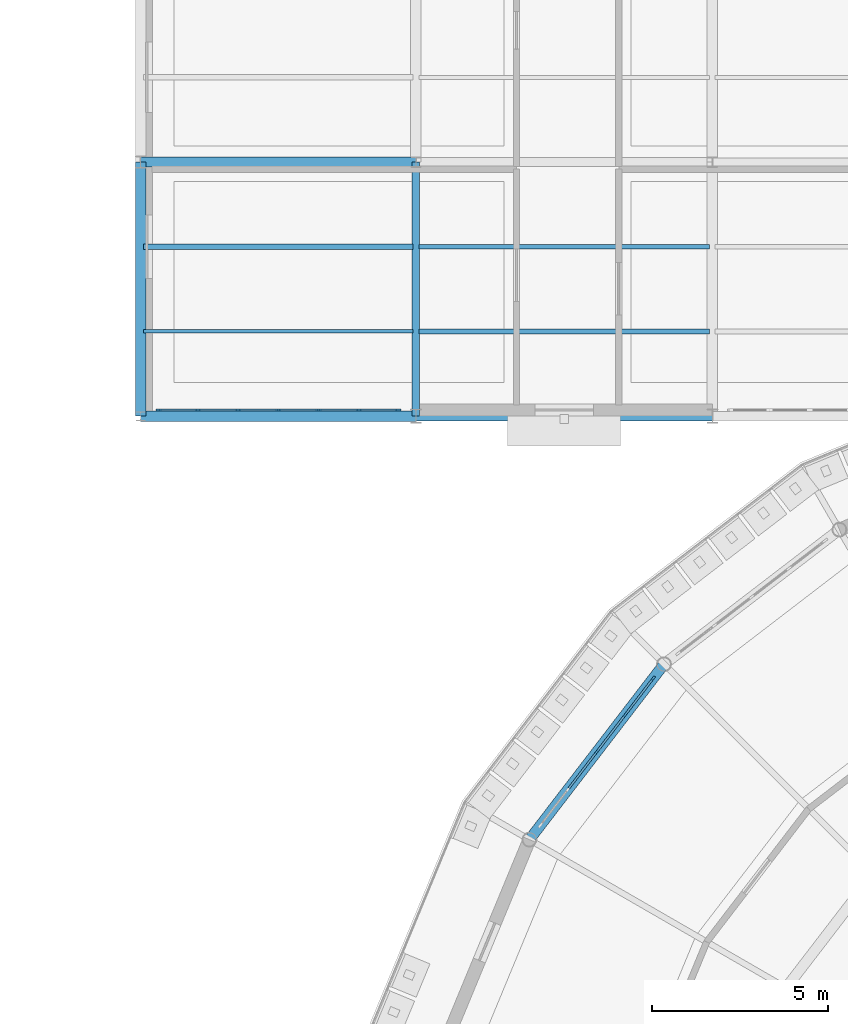
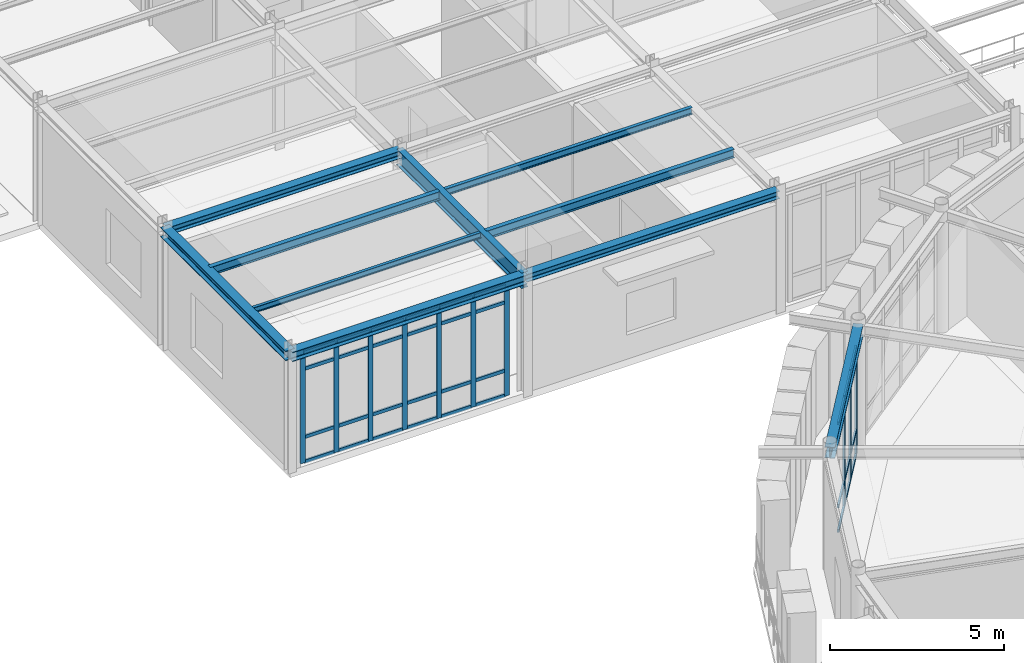
# One storey, part 49 of 106: 46 members, 10 beams, 2 elements without a shape of their own.
"""IFC4 building model written with IfcOpenShell, lengths in metres."""

from ifc_helpers import new_model, si_unit, derived_unit, direction, frame, origin, origin_2d, place, context, subcontext, project, spatial, rectangle, i_section, extrude, material, layer, layer_set, material_profile, profile_set, type_object, element, aggregate, save


model = new_model("IFC4")

# Units and contexts
model_context = context("Model", 3, precision=1e-05, world=origin(), true_north=direction((0.0, 1.0)))
body_context = subcontext(model_context, "Body", "Model", "MODEL_VIEW")
ifc_project = project(units=[si_unit("LENGTHUNIT", "METRE"), si_unit("AREAUNIT", "SQUARE_METRE"), si_unit("VOLUMEUNIT", "CUBIC_METRE"), si_unit("PLANEANGLEUNIT", "RADIAN"), si_unit("MASSUNIT", "GRAM", prefix="KILO"), derived_unit("THERMALTRANSMITTANCEUNIT", [(si_unit("POWERUNIT", "WATT"), 1), (si_unit("AREAUNIT", "SQUARE_METRE"), -1), (si_unit("THERMODYNAMICTEMPERATUREUNIT", "KELVIN"), -1)])], contexts=[model_context])

# Site, building, storey
site_placement = place(None, origin())
site = spatial("IfcSite", under=ifc_project, at=site_placement, CompositionType="ELEMENT")
building_placement = place(site_placement, origin())
building = spatial("IfcBuilding", under=site, at=building_placement, Name="Yasenodar Specialist Clinic", CompositionType="ELEMENT")
storey_placement = place(building_placement, frame((0.0, 0.0, 4.5)))
storey = spatial("IfcBuildingStorey", under=building, at=storey_placement, Name="L01", CompositionType="ELEMENT", Elevation=4.5)

# Beams
ifc_material_1 = material(Name="Steel S355", Category="steel")
ifc_material_profile_1 = material_profile(ifc_material_1, i_section(OverallWidth=0.280029296875, OverallDepth=0.27001953125, WebThickness=0.008056640625, FlangeThickness=0.012939453125, FilletRadius=0.02392578125, at=origin_2d()), Name="HEA 280")
ifc_profile_set_1 = profile_set([ifc_material_profile_1], Name="Steel S355")
beam_type_1 = type_object("IfcBeamType", Name="BM-HEA280", PredefinedType="BEAM", material=ifc_profile_set_1)
beam_1_placement = place(storey_placement, frame((57.0, 82.800048828125, 4.114990234375), z_axis=(1.0, 0.0, 0.0), x_axis=(0.0, 1.0, 0.0)))
element("IfcBeam", 1, at=beam_1_placement, inside=storey, type_object=beam_type_1, Name="L01 Primary E-W Girder", PredefinedType="BEAM", context=body_context, shape_type="SweptSolid", body=[
    extrude(i_section(OverallWidth=0.280029296875, OverallDepth=0.27001953125, WebThickness=0.008056640625, FlangeThickness=0.012939453125, FilletRadius=0.02392578125, at=origin_2d()), origin(), (0.0, 0.0, 1.0), 8.39990234375),
])
beam_2_placement = place(storey_placement, frame((49.199951171875, 90.0, 4.114990234375), z_axis=(1.0, 0.0, 0.0), x_axis=(0.0, 1.0, 0.0)))
element("IfcBeam", 2, at=beam_2_placement, inside=storey, type_object=beam_type_1, Name="L01 Primary E-W Girder", PredefinedType="BEAM", context=body_context, shape_type="SweptSolid", body=[
    extrude(i_section(OverallWidth=0.280029296875, OverallDepth=0.27001953125, WebThickness=0.008056640625, FlangeThickness=0.012939453125, FilletRadius=0.02392578125, at=origin_2d()), origin(), (0.0, 0.0, 1.0), 7.800048828125),
])
ifc_material_profile_2 = material_profile(ifc_material_1, i_section(OverallWidth=0.300048828125, OverallDepth=0.330078125, WebThickness=0.009521484375, FlangeThickness=0.0166015625, FilletRadius=0.027099609375, at=origin_2d()), Name="HEA 340")
ifc_profile_set_2 = profile_set([ifc_material_profile_2], Name="Steel S355")
beam_type_2 = type_object("IfcBeamType", Name="BM-HEA340", PredefinedType="BEAM", material=ifc_profile_set_2)
beam_3_placement = place(storey_placement, frame((49.199951171875, 82.800048828125, 4.0849609375), z_axis=(1.0, 0.0, 0.0), x_axis=(0.0, 1.0, 0.0)))
element("IfcBeam", 3, at=beam_3_placement, inside=storey, type_object=beam_type_2, Name="L01 Primary E-W Girder", PredefinedType="BEAM", context=body_context, shape_type="SweptSolid", body=[
    extrude(i_section(OverallWidth=0.300048828125, OverallDepth=0.330078125, WebThickness=0.009521484375, FlangeThickness=0.0166015625, FilletRadius=0.027099609375, at=origin_2d()), origin(), (0.0, 0.0, 1.0), 7.800048828125),
])
ifc_material_profile_3 = material_profile(ifc_material_1, i_section(OverallWidth=0.300048828125, OverallDepth=0.389892578125, WebThickness=0.010986328125, FlangeThickness=0.01904296875, FilletRadius=0.027099609375, at=origin_2d()), Name="HEA 400")
ifc_profile_set_3 = profile_set([ifc_material_profile_3], Name="Steel S355")
beam_type_3 = type_object("IfcBeamType", Name="BM-HEA400", PredefinedType="BEAM", material=ifc_profile_set_3)
beam_4_placement = place(storey_placement, frame((64.029296875, 75.7705078125, 4.054931640625), z_axis=(-0.608761180103, -0.793353531283, 0.0), x_axis=(0.793353531283, -0.608761180103, 0.0)))
element("IfcBeam", 4, at=beam_4_placement, inside=storey, type_object=beam_type_3, Name="L01 Drum V1 Perimeter Ring Beam", PredefinedType="BEAM", context=body_context, shape_type="SweptSolid", body=[
    extrude(i_section(OverallWidth=0.300048828125, OverallDepth=0.389892578125, WebThickness=0.010986328125, FlangeThickness=0.01904296875, FilletRadius=0.027099609375, at=origin_2d()), origin(), (0.0, 0.0, 1.0), 6.26513671875),
])
ifc_material_profile_4 = material_profile(ifc_material_1, i_section(OverallWidth=0.300048828125, OverallDepth=0.340087890625, WebThickness=0.011962890625, FlangeThickness=0.021484375, FilletRadius=0.027099609375, at=origin_2d()), Name="HEB 340")
ifc_profile_set_4 = profile_set([ifc_material_profile_4], Name="Steel S355")
beam_type_4 = type_object("IfcBeamType", Name="BM-HEB340", PredefinedType="BEAM", material=ifc_profile_set_4)
beam_5_placement = place(storey_placement, frame((49.199951171875, 82.800048828125, 4.080078125), z_axis=(0.0, 1.0, 0.0), x_axis=(-1.0, 0.0, 0.0)))
element("IfcBeam", 5, at=beam_5_placement, inside=storey, type_object=beam_type_4, Name="L01 Primary N-S Girder", PredefinedType="BEAM", context=body_context, shape_type="SweptSolid", body=[
    extrude(i_section(OverallWidth=0.300048828125, OverallDepth=0.340087890625, WebThickness=0.011962890625, FlangeThickness=0.021484375, FilletRadius=0.027099609375, at=origin_2d()), origin(), (0.0, 0.0, 1.0), 7.199951171875),
])
ifc_material_profile_5 = material_profile(ifc_material_1, i_section(OverallWidth=0.2099609375, OverallDepth=0.550048828125, WebThickness=0.010986328125, FlangeThickness=0.01708984375, FilletRadius=0.02392578125, at=origin_2d()), Name="IPE 550")
ifc_profile_set_5 = profile_set([ifc_material_profile_5], Name="Steel S355")
beam_type_5 = type_object("IfcBeamType", Name="BM-IPE550", PredefinedType="BEAM", material=ifc_profile_set_5)
beam_6_placement = place(storey_placement, frame((57.0, 82.800048828125, 3.97509765625), z_axis=(0.0, 1.0, 0.0), x_axis=(-1.0, 0.0, 0.0)))
element("IfcBeam", 6, at=beam_6_placement, inside=storey, type_object=beam_type_5, Name="L01 Primary N-S Girder", PredefinedType="BEAM", context=body_context, shape_type="SweptSolid", body=[
    extrude(i_section(OverallWidth=0.2099609375, OverallDepth=0.550048828125, WebThickness=0.010986328125, FlangeThickness=0.01708984375, FilletRadius=0.02392578125, at=origin_2d()), origin(), (0.0, 0.0, 1.0), 7.199951171875),
])

# Curtain wall, members
ifc_material_2 = material(Name="Bronze Anodized Aluminium and Triple Low-E Glass", Category="aluminium")
ifc_layer_1 = layer(ifc_material_2, 0.1669921875)
ifc_layer_set_1 = layer_set([ifc_layer_1], Name="Bronze Anodized Aluminium and Triple Low-E Glass")
curtain_wall_type_1 = type_object("IfcCurtainWallType", Name="CW-SYS-01", PredefinedType="USERDEFINED", material=ifc_layer_set_1)
curtain_wall_1_placement = place(storey_placement, origin())
curtain_wall_1 = element("IfcCurtainWall", 7, at=curtain_wall_1_placement, inside=storey, type_object=curtain_wall_type_1, Name="L01 Unitised Curtain Wall 018", ObjectType="UNITISED CURTAIN WALL", PredefinedType="USERDEFINED")
ifc_material_3 = material(Name="Bronze Anodized Aluminium", Category="aluminium")
ifc_material_profile_6 = material_profile(ifc_material_3, rectangle(XDim=0.06005859375, YDim=0.159912109375, at=origin_2d()), Name="CW-MULL 60x160")
ifc_profile_set_6 = profile_set([ifc_material_profile_6], Name="Bronze Anodized Aluminium")
member_type_1 = type_object("IfcMemberType", Name="CW-MULL-160", PredefinedType="MULLION", material=ifc_profile_set_6)
member_1_placement = place(storey_placement, frame((62.122314453125, 73.285400390625, 0.0), z_axis=(0.0, 0.0, 1.0), x_axis=(-0.793360558574, 0.608752021844, 0.0)))
member_1 = element("IfcMember", 8, at=member_1_placement, type_object=member_type_1, Name="CW-01 mullion 3", PredefinedType="MULLION", context=body_context, shape_type="SweptSolid", body=[
    extrude(rectangle(XDim=0.06005859375, YDim=0.159912109375, at=origin_2d()), origin(), (0.0, 0.0, 1.0), 3.837890625),
])
member_2_placement = place(storey_placement, frame((62.9296875, 74.337646484375, 0.0), z_axis=(0.0, 0.0, 1.0), x_axis=(-0.793360558574, 0.608752021844, 0.0)))
member_2 = element("IfcMember", 9, at=member_2_placement, type_object=member_type_1, Name="CW-01 mullion 4", PredefinedType="MULLION", context=body_context, shape_type="SweptSolid", body=[
    extrude(rectangle(XDim=0.06005859375, YDim=0.159912109375, at=origin_2d()), origin(), (0.0, 0.0, 1.0), 3.837890625),
])
member_3_placement = place(storey_placement, frame((63.718994140625, 75.365966796875, 0.0), z_axis=(0.0, 0.0, 1.0), x_axis=(-0.793360558574, 0.608752021844, 0.0)))
member_3 = element("IfcMember", 10, at=member_3_placement, type_object=member_type_1, Name="CW-01 mullion 5", PredefinedType="MULLION", context=body_context, shape_type="SweptSolid", body=[
    extrude(rectangle(XDim=0.06005859375, YDim=0.159912109375, at=origin_2d()), origin(), (0.0, 0.0, 1.0), 3.837890625),
])

ifc_layer_2 = layer(ifc_material_2, 0.215087890625)
ifc_layer_set_2 = layer_set([ifc_layer_2], Name="Bronze Anodized Aluminium and Triple Low-E Glass")
curtain_wall_type_2 = type_object("IfcCurtainWallType", Name="CW-SYS-05", PredefinedType="USERDEFINED", material=ifc_layer_set_2)
curtain_wall_2_placement = place(storey_placement, origin())
curtain_wall_2 = element("IfcCurtainWall", 11, at=curtain_wall_2_placement, inside=storey, type_object=curtain_wall_type_2, Name="L01 Unitised Curtain Wall 153", ObjectType="UNITISED CURTAIN WALL", PredefinedType="USERDEFINED")
member_4_placement = place(storey_placement, frame((56.489990234375, 82.969970703125, 0.0), z_axis=(0.0, 0.0, 1.0), x_axis=(0.0, -1.0, 0.0)))
member_4 = element("IfcMember", 12, at=member_4_placement, type_object=member_type_1, Name="CW-05 mullion 1", PredefinedType="MULLION", context=body_context, shape_type="SweptSolid", body=[
    extrude(rectangle(XDim=0.06005859375, YDim=0.159912109375, at=origin_2d()), origin(), (0.0, 0.0, 1.0), 3.89794921875),
])
member_5_placement = place(storey_placement, frame((55.3798828125, 82.969970703125, 0.0), z_axis=(0.0, 0.0, 1.0), x_axis=(0.0, -1.0, 0.0)))
member_5 = element("IfcMember", 13, at=member_5_placement, type_object=member_type_1, Name="CW-05 mullion 2", PredefinedType="MULLION", context=body_context, shape_type="SweptSolid", body=[
    extrude(rectangle(XDim=0.06005859375, YDim=0.159912109375, at=origin_2d()), origin(), (0.0, 0.0, 1.0), 3.89794921875),
])
member_6_placement = place(storey_placement, frame((54.239990234375, 82.969970703125, 0.0), z_axis=(0.0, 0.0, 1.0), x_axis=(0.0, -1.0, 0.0)))
member_6 = element("IfcMember", 14, at=member_6_placement, type_object=member_type_1, Name="CW-05 mullion 3", PredefinedType="MULLION", context=body_context, shape_type="SweptSolid", body=[
    extrude(rectangle(XDim=0.06005859375, YDim=0.159912109375, at=origin_2d()), origin(), (0.0, 0.0, 1.0), 3.89794921875),
])
member_7_placement = place(storey_placement, frame((53.10009765625, 82.969970703125, 0.0), z_axis=(0.0, 0.0, 1.0), x_axis=(0.0, -1.0, 0.0)))
member_7 = element("IfcMember", 15, at=member_7_placement, type_object=member_type_1, Name="CW-05 mullion 4", PredefinedType="MULLION", context=body_context, shape_type="SweptSolid", body=[
    extrude(rectangle(XDim=0.06005859375, YDim=0.159912109375, at=origin_2d()), origin(), (0.0, 0.0, 1.0), 3.89794921875),
])
member_8_placement = place(storey_placement, frame((51.9599609375, 82.969970703125, 0.0), z_axis=(0.0, 0.0, 1.0), x_axis=(0.0, -1.0, 0.0)))
member_8 = element("IfcMember", 16, at=member_8_placement, type_object=member_type_1, Name="CW-05 mullion 5", PredefinedType="MULLION", context=body_context, shape_type="SweptSolid", body=[
    extrude(rectangle(XDim=0.06005859375, YDim=0.159912109375, at=origin_2d()), origin(), (0.0, 0.0, 1.0), 3.89794921875),
])
member_9_placement = place(storey_placement, frame((50.820068359375, 82.969970703125, 0.0), z_axis=(0.0, 0.0, 1.0), x_axis=(0.0, -1.0, 0.0)))
member_9 = element("IfcMember", 17, at=member_9_placement, type_object=member_type_1, Name="CW-05 mullion 6", PredefinedType="MULLION", context=body_context, shape_type="SweptSolid", body=[
    extrude(rectangle(XDim=0.06005859375, YDim=0.159912109375, at=origin_2d()), origin(), (0.0, 0.0, 1.0), 3.89794921875),
])
member_10_placement = place(storey_placement, frame((49.7099609375, 82.969970703125, 0.0), z_axis=(0.0, 0.0, 1.0), x_axis=(0.0, -1.0, 0.0)))
member_10 = element("IfcMember", 18, at=member_10_placement, type_object=member_type_1, Name="CW-05 mullion 7", PredefinedType="MULLION", context=body_context, shape_type="SweptSolid", body=[
    extrude(rectangle(XDim=0.06005859375, YDim=0.159912109375, at=origin_2d()), origin(), (0.0, 0.0, 1.0), 3.89794921875),
])

# Member
ifc_material_profile_7 = material_profile(ifc_material_3, rectangle(XDim=0.06005859375, YDim=0.1201171875, at=origin_2d()), Name="CW-TRAN 60x120")
ifc_profile_set_7 = profile_set([ifc_material_profile_7], Name="Bronze Anodized Aluminium")
member_type_2 = type_object("IfcMemberType", Name="CW-TRAN-120", PredefinedType="USERDEFINED", material=ifc_profile_set_7)
member_11_placement = place(storey_placement, frame((61.333251953125, 72.2568359375, 0.030029296875), z_axis=(0.608815963567, 0.793311491475, 0.0), x_axis=(-0.793311491475, 0.608815963567, 0.0)))
member_11 = element("IfcMember", 19, at=member_11_placement, type_object=member_type_2, Name="CW-01 transom 2.1", ObjectType="TRANSOM", PredefinedType="USERDEFINED", context=body_context, shape_type="SweptSolid", body=[
    extrude(rectangle(XDim=0.06005859375, YDim=0.1201171875, at=origin_2d()), origin(), (0.0, 0.0, 1.0), 1.266357421875),
])

member_12_placement = place(storey_placement, frame((61.333251953125, 72.2568359375, 0.89990234375), z_axis=(0.608815963567, 0.793311491475, 0.0), x_axis=(-0.793311491475, 0.608815963567, 0.0)))
member_12 = element("IfcMember", 20, at=member_12_placement, type_object=member_type_2, Name="CW-01 transom 2.2", ObjectType="TRANSOM", PredefinedType="USERDEFINED", context=body_context, shape_type="SweptSolid", body=[
    extrude(rectangle(XDim=0.06005859375, YDim=0.1201171875, at=origin_2d()), origin(), (0.0, 0.0, 1.0), 1.266357421875),
])

member_13_placement = place(storey_placement, frame((61.333251953125, 72.2568359375, 3.238037109375), z_axis=(0.608815963567, 0.793311491475, 0.0), x_axis=(-0.793311491475, 0.608815963567, 0.0)))
member_13 = element("IfcMember", 21, at=member_13_placement, type_object=member_type_2, Name="CW-01 transom 2.3", ObjectType="TRANSOM", PredefinedType="USERDEFINED", context=body_context, shape_type="SweptSolid", body=[
    extrude(rectangle(XDim=0.06005859375, YDim=0.1201171875, at=origin_2d()), origin(), (0.0, 0.0, 1.0), 1.266357421875),
])

member_14_placement = place(storey_placement, frame((61.333251953125, 72.2568359375, 3.80810546875), z_axis=(0.608815963567, 0.793311491475, 0.0), x_axis=(-0.793311491475, 0.608815963567, 0.0)))
member_14 = element("IfcMember", 22, at=member_14_placement, type_object=member_type_2, Name="CW-01 transom 2.4", ObjectType="TRANSOM", PredefinedType="USERDEFINED", context=body_context, shape_type="SweptSolid", body=[
    extrude(rectangle(XDim=0.06005859375, YDim=0.1201171875, at=origin_2d()), origin(), (0.0, 0.0, 1.0), 1.266357421875),
])

member_15_placement = place(storey_placement, frame((62.140625, 73.30908203125, 0.030029296875), z_axis=(0.608815963567, 0.793311491475, 0.0), x_axis=(-0.793311491475, 0.608815963567, 0.0)))
member_15 = element("IfcMember", 23, at=member_15_placement, type_object=member_type_2, Name="CW-01 transom 3.1", ObjectType="TRANSOM", PredefinedType="USERDEFINED", context=body_context, shape_type="SweptSolid", body=[
    extrude(rectangle(XDim=0.06005859375, YDim=0.1201171875, at=origin_2d()), origin(), (0.0, 0.0, 1.0), 1.266357421875),
])

member_16_placement = place(storey_placement, frame((62.140625, 73.30908203125, 0.89990234375), z_axis=(0.608815963567, 0.793311491475, 0.0), x_axis=(-0.793311491475, 0.608815963567, 0.0)))
member_16 = element("IfcMember", 24, at=member_16_placement, type_object=member_type_2, Name="CW-01 transom 3.2", ObjectType="TRANSOM", PredefinedType="USERDEFINED", context=body_context, shape_type="SweptSolid", body=[
    extrude(rectangle(XDim=0.06005859375, YDim=0.1201171875, at=origin_2d()), origin(), (0.0, 0.0, 1.0), 1.266357421875),
])

member_17_placement = place(storey_placement, frame((62.140625, 73.30908203125, 3.238037109375), z_axis=(0.608815963567, 0.793311491475, 0.0), x_axis=(-0.793311491475, 0.608815963567, 0.0)))
member_17 = element("IfcMember", 25, at=member_17_placement, type_object=member_type_2, Name="CW-01 transom 3.3", ObjectType="TRANSOM", PredefinedType="USERDEFINED", context=body_context, shape_type="SweptSolid", body=[
    extrude(rectangle(XDim=0.06005859375, YDim=0.1201171875, at=origin_2d()), origin(), (0.0, 0.0, 1.0), 1.266357421875),
])

member_18_placement = place(storey_placement, frame((62.140625, 73.30908203125, 3.80810546875), z_axis=(0.608815963567, 0.793311491475, 0.0), x_axis=(-0.793311491475, 0.608815963567, 0.0)))
member_18 = element("IfcMember", 26, at=member_18_placement, type_object=member_type_2, Name="CW-01 transom 3.4", ObjectType="TRANSOM", PredefinedType="USERDEFINED", context=body_context, shape_type="SweptSolid", body=[
    extrude(rectangle(XDim=0.06005859375, YDim=0.1201171875, at=origin_2d()), origin(), (0.0, 0.0, 1.0), 1.266357421875),
])

member_19_placement = place(storey_placement, frame((62.947998046875, 74.361328125, 0.030029296875), z_axis=(0.608746535642, 0.793364768151, 0.0), x_axis=(-0.793364768151, 0.608746535642, 0.0)))
member_19 = element("IfcMember", 27, at=member_19_placement, type_object=member_type_2, Name="CW-01 transom 4.1", ObjectType="TRANSOM", PredefinedType="USERDEFINED", context=body_context, shape_type="SweptSolid", body=[
    extrude(rectangle(XDim=0.06005859375, YDim=0.1201171875, at=origin_2d()), origin(), (0.0, 0.0, 1.0), 1.236572265625),
])

member_20_placement = place(storey_placement, frame((62.947998046875, 74.361328125, 0.89990234375), z_axis=(0.608746535642, 0.793364768151, 0.0), x_axis=(-0.793364768151, 0.608746535642, 0.0)))
member_20 = element("IfcMember", 28, at=member_20_placement, type_object=member_type_2, Name="CW-01 transom 4.2", ObjectType="TRANSOM", PredefinedType="USERDEFINED", context=body_context, shape_type="SweptSolid", body=[
    extrude(rectangle(XDim=0.06005859375, YDim=0.1201171875, at=origin_2d()), origin(), (0.0, 0.0, 1.0), 1.236572265625),
])

member_21_placement = place(storey_placement, frame((62.947998046875, 74.361328125, 3.238037109375), z_axis=(0.608746535642, 0.793364768151, 0.0), x_axis=(-0.793364768151, 0.608746535642, 0.0)))
member_21 = element("IfcMember", 29, at=member_21_placement, type_object=member_type_2, Name="CW-01 transom 4.3", ObjectType="TRANSOM", PredefinedType="USERDEFINED", context=body_context, shape_type="SweptSolid", body=[
    extrude(rectangle(XDim=0.06005859375, YDim=0.1201171875, at=origin_2d()), origin(), (0.0, 0.0, 1.0), 1.236572265625),
])

member_22_placement = place(storey_placement, frame((62.947998046875, 74.361328125, 3.80810546875), z_axis=(0.608746535642, 0.793364768151, 0.0), x_axis=(-0.793364768151, 0.608746535642, 0.0)))
member_22 = element("IfcMember", 30, at=member_22_placement, type_object=member_type_2, Name="CW-01 transom 4.4", ObjectType="TRANSOM", PredefinedType="USERDEFINED", context=body_context, shape_type="SweptSolid", body=[
    extrude(rectangle(XDim=0.06005859375, YDim=0.1201171875, at=origin_2d()), origin(), (0.0, 0.0, 1.0), 1.236572265625),
])

aggregate(curtain_wall_1, [member_1, member_2, member_3, member_11, member_12, member_13, member_14, member_15, member_16, member_17, member_18, member_19, member_20, member_21, member_22])

member_23_placement = place(storey_placement, frame((56.4599609375, 82.969970703125, 0.030029296875), z_axis=(-1.0, 0.0, 0.0), x_axis=(0.0, -1.0, 0.0)))
member_23 = element("IfcMember", 31, at=member_23_placement, type_object=member_type_2, Name="CW-05 transom 1.1", ObjectType="TRANSOM", PredefinedType="USERDEFINED", context=body_context, shape_type="SweptSolid", body=[
    extrude(rectangle(XDim=0.06005859375, YDim=0.1201171875, at=origin_2d()), origin(), (0.0, 0.0, 1.0), 1.050048828125),
])

member_24_placement = place(storey_placement, frame((56.4599609375, 82.969970703125, 0.89990234375), z_axis=(-1.0, 0.0, 0.0), x_axis=(0.0, -1.0, 0.0)))
member_24 = element("IfcMember", 32, at=member_24_placement, type_object=member_type_2, Name="CW-05 transom 1.2", ObjectType="TRANSOM", PredefinedType="USERDEFINED", context=body_context, shape_type="SweptSolid", body=[
    extrude(rectangle(XDim=0.06005859375, YDim=0.1201171875, at=origin_2d()), origin(), (0.0, 0.0, 1.0), 1.050048828125),
])

member_25_placement = place(storey_placement, frame((56.4599609375, 82.969970703125, 3.298095703125), z_axis=(-1.0, 0.0, 0.0), x_axis=(0.0, -1.0, 0.0)))
member_25 = element("IfcMember", 33, at=member_25_placement, type_object=member_type_2, Name="CW-05 transom 1.3", ObjectType="TRANSOM", PredefinedType="USERDEFINED", context=body_context, shape_type="SweptSolid", body=[
    extrude(rectangle(XDim=0.06005859375, YDim=0.1201171875, at=origin_2d()), origin(), (0.0, 0.0, 1.0), 1.050048828125),
])

member_26_placement = place(storey_placement, frame((56.4599609375, 82.969970703125, 3.867919921875), z_axis=(-1.0, 0.0, 0.0), x_axis=(0.0, -1.0, 0.0)))
member_26 = element("IfcMember", 34, at=member_26_placement, type_object=member_type_2, Name="CW-05 transom 1.4", ObjectType="TRANSOM", PredefinedType="USERDEFINED", context=body_context, shape_type="SweptSolid", body=[
    extrude(rectangle(XDim=0.06005859375, YDim=0.1201171875, at=origin_2d()), origin(), (0.0, 0.0, 1.0), 1.050048828125),
])

member_27_placement = place(storey_placement, frame((55.35009765625, 82.969970703125, 0.030029296875), z_axis=(-1.0, 0.0, 0.0), x_axis=(0.0, -1.0, 0.0)))
member_27 = element("IfcMember", 35, at=member_27_placement, type_object=member_type_2, Name="CW-05 transom 2.1", ObjectType="TRANSOM", PredefinedType="USERDEFINED", context=body_context, shape_type="SweptSolid", body=[
    extrude(rectangle(XDim=0.06005859375, YDim=0.1201171875, at=origin_2d()), origin(), (0.0, 0.0, 1.0), 1.080078125),
])

member_28_placement = place(storey_placement, frame((55.35009765625, 82.969970703125, 0.89990234375), z_axis=(-1.0, 0.0, 0.0), x_axis=(0.0, -1.0, 0.0)))
member_28 = element("IfcMember", 36, at=member_28_placement, type_object=member_type_2, Name="CW-05 transom 2.2", ObjectType="TRANSOM", PredefinedType="USERDEFINED", context=body_context, shape_type="SweptSolid", body=[
    extrude(rectangle(XDim=0.06005859375, YDim=0.1201171875, at=origin_2d()), origin(), (0.0, 0.0, 1.0), 1.080078125),
])

member_29_placement = place(storey_placement, frame((55.35009765625, 82.969970703125, 3.298095703125), z_axis=(-1.0, 0.0, 0.0), x_axis=(0.0, -1.0, 0.0)))
member_29 = element("IfcMember", 37, at=member_29_placement, type_object=member_type_2, Name="CW-05 transom 2.3", ObjectType="TRANSOM", PredefinedType="USERDEFINED", context=body_context, shape_type="SweptSolid", body=[
    extrude(rectangle(XDim=0.06005859375, YDim=0.1201171875, at=origin_2d()), origin(), (0.0, 0.0, 1.0), 1.080078125),
])

member_30_placement = place(storey_placement, frame((55.35009765625, 82.969970703125, 3.867919921875), z_axis=(-1.0, 0.0, 0.0), x_axis=(0.0, -1.0, 0.0)))
member_30 = element("IfcMember", 38, at=member_30_placement, type_object=member_type_2, Name="CW-05 transom 2.4", ObjectType="TRANSOM", PredefinedType="USERDEFINED", context=body_context, shape_type="SweptSolid", body=[
    extrude(rectangle(XDim=0.06005859375, YDim=0.1201171875, at=origin_2d()), origin(), (0.0, 0.0, 1.0), 1.080078125),
])

member_31_placement = place(storey_placement, frame((54.2099609375, 82.969970703125, 0.030029296875), z_axis=(-1.0, 0.0, 0.0), x_axis=(0.0, -1.0, 0.0)))
member_31 = element("IfcMember", 39, at=member_31_placement, type_object=member_type_2, Name="CW-05 transom 3.1", ObjectType="TRANSOM", PredefinedType="USERDEFINED", context=body_context, shape_type="SweptSolid", body=[
    extrude(rectangle(XDim=0.06005859375, YDim=0.1201171875, at=origin_2d()), origin(), (0.0, 0.0, 1.0), 1.080078125),
])

member_32_placement = place(storey_placement, frame((54.2099609375, 82.969970703125, 0.89990234375), z_axis=(-1.0, 0.0, 0.0), x_axis=(0.0, -1.0, 0.0)))
member_32 = element("IfcMember", 40, at=member_32_placement, type_object=member_type_2, Name="CW-05 transom 3.2", ObjectType="TRANSOM", PredefinedType="USERDEFINED", context=body_context, shape_type="SweptSolid", body=[
    extrude(rectangle(XDim=0.06005859375, YDim=0.1201171875, at=origin_2d()), origin(), (0.0, 0.0, 1.0), 1.080078125),
])

member_33_placement = place(storey_placement, frame((54.2099609375, 82.969970703125, 3.298095703125), z_axis=(-1.0, 0.0, 0.0), x_axis=(0.0, -1.0, 0.0)))
member_33 = element("IfcMember", 41, at=member_33_placement, type_object=member_type_2, Name="CW-05 transom 3.3", ObjectType="TRANSOM", PredefinedType="USERDEFINED", context=body_context, shape_type="SweptSolid", body=[
    extrude(rectangle(XDim=0.06005859375, YDim=0.1201171875, at=origin_2d()), origin(), (0.0, 0.0, 1.0), 1.080078125),
])

member_34_placement = place(storey_placement, frame((54.2099609375, 82.969970703125, 3.867919921875), z_axis=(-1.0, 0.0, 0.0), x_axis=(0.0, -1.0, 0.0)))
member_34 = element("IfcMember", 42, at=member_34_placement, type_object=member_type_2, Name="CW-05 transom 3.4", ObjectType="TRANSOM", PredefinedType="USERDEFINED", context=body_context, shape_type="SweptSolid", body=[
    extrude(rectangle(XDim=0.06005859375, YDim=0.1201171875, at=origin_2d()), origin(), (0.0, 0.0, 1.0), 1.080078125),
])

member_35_placement = place(storey_placement, frame((53.070068359375, 82.969970703125, 0.030029296875), z_axis=(-1.0, 0.0, 0.0), x_axis=(0.0, -1.0, 0.0)))
member_35 = element("IfcMember", 43, at=member_35_placement, type_object=member_type_2, Name="CW-05 transom 4.1", ObjectType="TRANSOM", PredefinedType="USERDEFINED", context=body_context, shape_type="SweptSolid", body=[
    extrude(rectangle(XDim=0.06005859375, YDim=0.1201171875, at=origin_2d()), origin(), (0.0, 0.0, 1.0), 1.080078125),
])

member_36_placement = place(storey_placement, frame((53.070068359375, 82.969970703125, 0.89990234375), z_axis=(-1.0, 0.0, 0.0), x_axis=(0.0, -1.0, 0.0)))
member_36 = element("IfcMember", 44, at=member_36_placement, type_object=member_type_2, Name="CW-05 transom 4.2", ObjectType="TRANSOM", PredefinedType="USERDEFINED", context=body_context, shape_type="SweptSolid", body=[
    extrude(rectangle(XDim=0.06005859375, YDim=0.1201171875, at=origin_2d()), origin(), (0.0, 0.0, 1.0), 1.080078125),
])

member_37_placement = place(storey_placement, frame((53.070068359375, 82.969970703125, 3.298095703125), z_axis=(-1.0, 0.0, 0.0), x_axis=(0.0, -1.0, 0.0)))
member_37 = element("IfcMember", 45, at=member_37_placement, type_object=member_type_2, Name="CW-05 transom 4.3", ObjectType="TRANSOM", PredefinedType="USERDEFINED", context=body_context, shape_type="SweptSolid", body=[
    extrude(rectangle(XDim=0.06005859375, YDim=0.1201171875, at=origin_2d()), origin(), (0.0, 0.0, 1.0), 1.080078125),
])

member_38_placement = place(storey_placement, frame((53.070068359375, 82.969970703125, 3.867919921875), z_axis=(-1.0, 0.0, 0.0), x_axis=(0.0, -1.0, 0.0)))
member_38 = element("IfcMember", 46, at=member_38_placement, type_object=member_type_2, Name="CW-05 transom 4.4", ObjectType="TRANSOM", PredefinedType="USERDEFINED", context=body_context, shape_type="SweptSolid", body=[
    extrude(rectangle(XDim=0.06005859375, YDim=0.1201171875, at=origin_2d()), origin(), (0.0, 0.0, 1.0), 1.080078125),
])

member_39_placement = place(storey_placement, frame((51.929931640625, 82.969970703125, 0.030029296875), z_axis=(-1.0, 0.0, 0.0), x_axis=(0.0, -1.0, 0.0)))
member_39 = element("IfcMember", 47, at=member_39_placement, type_object=member_type_2, Name="CW-05 transom 5.1", ObjectType="TRANSOM", PredefinedType="USERDEFINED", context=body_context, shape_type="SweptSolid", body=[
    extrude(rectangle(XDim=0.06005859375, YDim=0.1201171875, at=origin_2d()), origin(), (0.0, 0.0, 1.0), 1.079833984375),
])

member_40_placement = place(storey_placement, frame((51.929931640625, 82.969970703125, 0.89990234375), z_axis=(-1.0, 0.0, 0.0), x_axis=(0.0, -1.0, 0.0)))
member_40 = element("IfcMember", 48, at=member_40_placement, type_object=member_type_2, Name="CW-05 transom 5.2", ObjectType="TRANSOM", PredefinedType="USERDEFINED", context=body_context, shape_type="SweptSolid", body=[
    extrude(rectangle(XDim=0.06005859375, YDim=0.1201171875, at=origin_2d()), origin(), (0.0, 0.0, 1.0), 1.079833984375),
])

member_41_placement = place(storey_placement, frame((51.929931640625, 82.969970703125, 3.298095703125), z_axis=(-1.0, 0.0, 0.0), x_axis=(0.0, -1.0, 0.0)))
member_41 = element("IfcMember", 49, at=member_41_placement, type_object=member_type_2, Name="CW-05 transom 5.3", ObjectType="TRANSOM", PredefinedType="USERDEFINED", context=body_context, shape_type="SweptSolid", body=[
    extrude(rectangle(XDim=0.06005859375, YDim=0.1201171875, at=origin_2d()), origin(), (0.0, 0.0, 1.0), 1.079833984375),
])

member_42_placement = place(storey_placement, frame((51.929931640625, 82.969970703125, 3.867919921875), z_axis=(-1.0, 0.0, 0.0), x_axis=(0.0, -1.0, 0.0)))
member_42 = element("IfcMember", 50, at=member_42_placement, type_object=member_type_2, Name="CW-05 transom 5.4", ObjectType="TRANSOM", PredefinedType="USERDEFINED", context=body_context, shape_type="SweptSolid", body=[
    extrude(rectangle(XDim=0.06005859375, YDim=0.1201171875, at=origin_2d()), origin(), (0.0, 0.0, 1.0), 1.079833984375),
])

member_43_placement = place(storey_placement, frame((50.7900390625, 82.969970703125, 0.030029296875), z_axis=(-1.0, 0.0, 0.0), x_axis=(0.0, -1.0, 0.0)))
member_43 = element("IfcMember", 51, at=member_43_placement, type_object=member_type_2, Name="CW-05 transom 6.1", ObjectType="TRANSOM", PredefinedType="USERDEFINED", context=body_context, shape_type="SweptSolid", body=[
    extrude(rectangle(XDim=0.06005859375, YDim=0.1201171875, at=origin_2d()), origin(), (0.0, 0.0, 1.0), 1.050048828125),
])

member_44_placement = place(storey_placement, frame((50.7900390625, 82.969970703125, 0.89990234375), z_axis=(-1.0, 0.0, 0.0), x_axis=(0.0, -1.0, 0.0)))
member_44 = element("IfcMember", 52, at=member_44_placement, type_object=member_type_2, Name="CW-05 transom 6.2", ObjectType="TRANSOM", PredefinedType="USERDEFINED", context=body_context, shape_type="SweptSolid", body=[
    extrude(rectangle(XDim=0.06005859375, YDim=0.1201171875, at=origin_2d()), origin(), (0.0, 0.0, 1.0), 1.050048828125),
])

member_45_placement = place(storey_placement, frame((50.7900390625, 82.969970703125, 3.298095703125), z_axis=(-1.0, 0.0, 0.0), x_axis=(0.0, -1.0, 0.0)))
member_45 = element("IfcMember", 53, at=member_45_placement, type_object=member_type_2, Name="CW-05 transom 6.3", ObjectType="TRANSOM", PredefinedType="USERDEFINED", context=body_context, shape_type="SweptSolid", body=[
    extrude(rectangle(XDim=0.06005859375, YDim=0.1201171875, at=origin_2d()), origin(), (0.0, 0.0, 1.0), 1.050048828125),
])

member_46_placement = place(storey_placement, frame((50.7900390625, 82.969970703125, 3.867919921875), z_axis=(-1.0, 0.0, 0.0), x_axis=(0.0, -1.0, 0.0)))
member_46 = element("IfcMember", 54, at=member_46_placement, type_object=member_type_2, Name="CW-05 transom 6.4", ObjectType="TRANSOM", PredefinedType="USERDEFINED", context=body_context, shape_type="SweptSolid", body=[
    extrude(rectangle(XDim=0.06005859375, YDim=0.1201171875, at=origin_2d()), origin(), (0.0, 0.0, 1.0), 1.050048828125),
])

aggregate(curtain_wall_2, [member_4, member_5, member_6, member_7, member_8, member_9, member_10, member_23, member_24, member_25, member_26, member_27, member_28, member_29, member_30, member_31, member_32, member_33, member_34, member_35, member_36, member_37, member_38, member_39, member_40, member_41, member_42, member_43, member_44, member_45, member_46])

# Beams
ifc_material_profile_8 = material_profile(ifc_material_1, i_section(OverallWidth=0.10009765625, OverallDepth=0.199951171875, WebThickness=0.005615234375, FlangeThickness=0.008544921875, FilletRadius=0.011962890625, at=origin_2d()), Name="IPE 200")
ifc_profile_set_8 = profile_set([ifc_material_profile_8], Name="Steel S355")
beam_type_6 = type_object("IfcBeamType", Name="JS-IPE200", PredefinedType="JOIST", material=ifc_profile_set_8)
beam_7_placement = place(storey_placement, frame((49.280029296875, 85.199951171875, 4.14990234375), z_axis=(1.0, 0.0, 0.0), x_axis=(0.0, 1.0, 0.0)))
element("IfcBeam", 55, at=beam_7_placement, inside=storey, type_object=beam_type_6, Name="L01 Composite Floor Joist", PredefinedType="JOIST", context=body_context, shape_type="SweptSolid", body=[
    extrude(i_section(OverallWidth=0.10009765625, OverallDepth=0.199951171875, WebThickness=0.005615234375, FlangeThickness=0.008544921875, FilletRadius=0.011962890625, at=origin_2d()), origin(), (0.0, 0.0, 1.0), 7.639892578125),
])
ifc_material_profile_9 = material_profile(ifc_material_1, i_section(OverallWidth=0.1201171875, OverallDepth=0.239990234375, WebThickness=0.006103515625, FlangeThickness=0.009765625, FilletRadius=0.014892578125, at=origin_2d()), Name="IPE 240")
ifc_profile_set_9 = profile_set([ifc_material_profile_9], Name="Steel S355")
beam_type_7 = type_object("IfcBeamType", Name="JS-IPE240", PredefinedType="JOIST", material=ifc_profile_set_9)
beam_8_placement = place(storey_placement, frame((57.080078125, 87.60009765625, 4.1298828125), z_axis=(1.0, 0.0, 0.0), x_axis=(0.0, 1.0, 0.0)))
element("IfcBeam", 56, at=beam_8_placement, inside=storey, type_object=beam_type_7, Name="L01 Composite Floor Joist", PredefinedType="JOIST", context=body_context, shape_type="SweptSolid", body=[
    extrude(i_section(OverallWidth=0.1201171875, OverallDepth=0.239990234375, WebThickness=0.006103515625, FlangeThickness=0.009765625, FilletRadius=0.014892578125, at=origin_2d()), origin(), (0.0, 0.0, 1.0), 8.239990234375),
])
ifc_material_profile_10 = material_profile(ifc_material_1, i_section(OverallWidth=0.14990234375, OverallDepth=0.300048828125, WebThickness=0.007080078125, FlangeThickness=0.0107421875, FilletRadius=0.014892578125, at=origin_2d()), Name="IPE 300")
ifc_profile_set_10 = profile_set([ifc_material_profile_10], Name="Steel S355")
beam_type_8 = type_object("IfcBeamType", Name="JS-IPE300", PredefinedType="JOIST", material=ifc_profile_set_10)
beam_9_placement = place(storey_placement, frame((49.280029296875, 87.60009765625, 4.10009765625), z_axis=(1.0, 0.0, 0.0), x_axis=(0.0, 1.0, 0.0)))
element("IfcBeam", 57, at=beam_9_placement, inside=storey, type_object=beam_type_8, Name="L01 Composite Floor Joist", PredefinedType="JOIST", context=body_context, shape_type="SweptSolid", body=[
    extrude(i_section(OverallWidth=0.14990234375, OverallDepth=0.300048828125, WebThickness=0.007080078125, FlangeThickness=0.0107421875, FilletRadius=0.014892578125, at=origin_2d()), origin(), (0.0, 0.0, 1.0), 7.639892578125),
])
beam_10_placement = place(storey_placement, frame((57.080078125, 85.199951171875, 4.10009765625), z_axis=(1.0, 0.0, 0.0), x_axis=(0.0, 1.0, 0.0)))
element("IfcBeam", 58, at=beam_10_placement, inside=storey, type_object=beam_type_8, Name="L01 Composite Floor Joist", PredefinedType="JOIST", context=body_context, shape_type="SweptSolid", body=[
    extrude(i_section(OverallWidth=0.14990234375, OverallDepth=0.300048828125, WebThickness=0.007080078125, FlangeThickness=0.0107421875, FilletRadius=0.014892578125, at=origin_2d()), origin(), (0.0, 0.0, 1.0), 8.239990234375),
])

save(model, "model.ifc")
